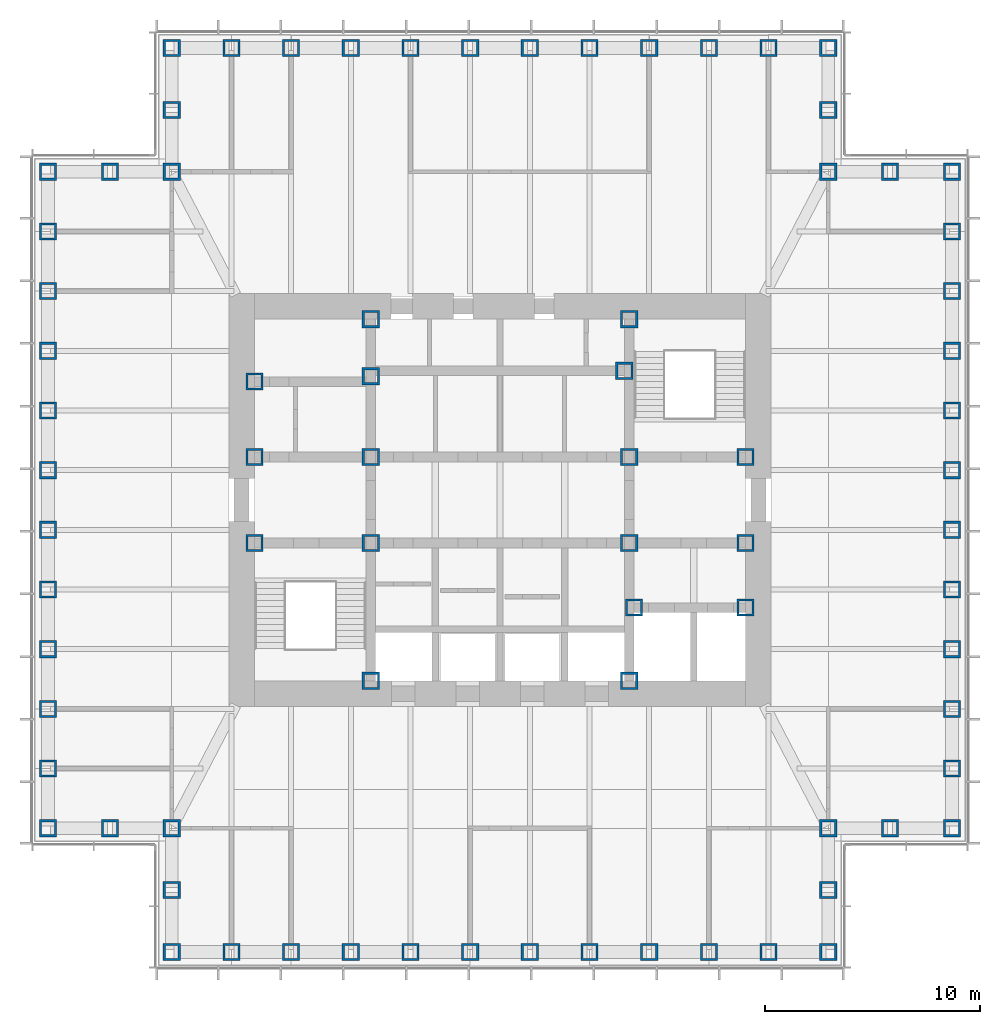
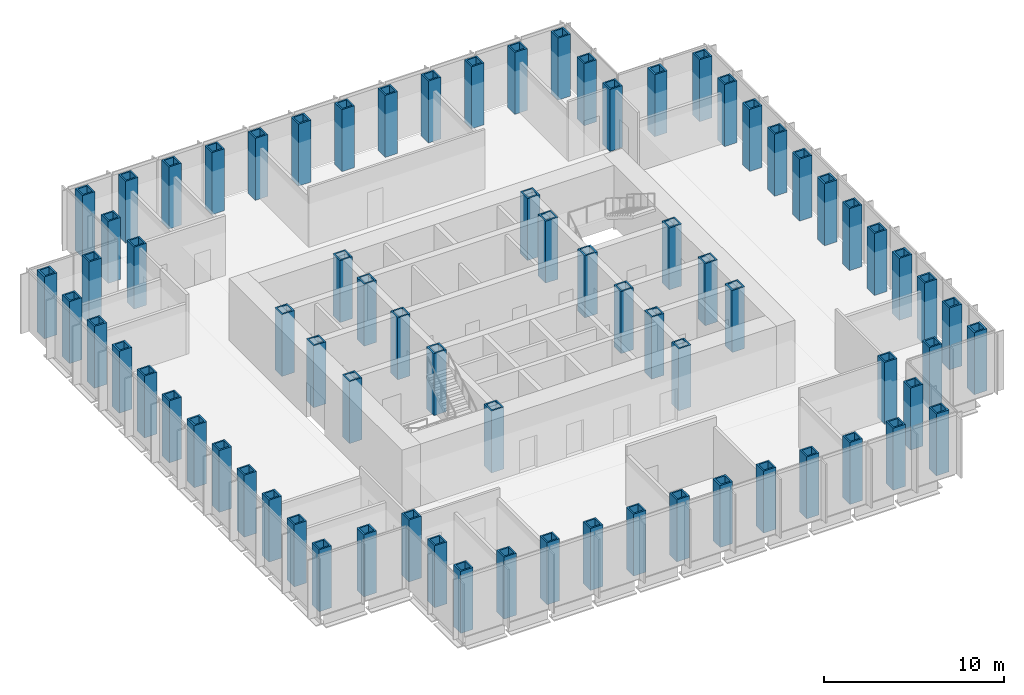
# One storey, part 1 of 16: 77 columns.
"""IFC4 building model written with IfcOpenShell, lengths in metres."""

from ifc_helpers import new_model, si_unit, direction, frame, origin, origin_2d, place, context, subcontext, project, spatial, hollow_rectangle, extrude, material, material_profile, profile_set, type_object, element, save


model = new_model("IFC4")

# Units and contexts
model_context = context("Model", 3, precision=1e-05, world=origin(), true_north=direction((0.0, 1.0)))
body_context = subcontext(model_context, "Body", "Model", "MODEL_VIEW")
ifc_project = project(units=[si_unit("LENGTHUNIT", "METRE"), si_unit("AREAUNIT", "SQUARE_METRE"), si_unit("VOLUMEUNIT", "CUBIC_METRE"), si_unit("PLANEANGLEUNIT", "RADIAN"), si_unit("MASSUNIT", "GRAM", prefix="KILO")], contexts=[model_context])

# Site, building, storey
site_placement = place(None, origin())
site = spatial("IfcSite", under=ifc_project, at=site_placement, CompositionType="ELEMENT")
building_placement = place(site_placement, origin())
building = spatial("IfcBuilding", under=site, at=building_placement, Name="Daluyong Arena Tower", CompositionType="ELEMENT")
storey_placement = place(building_placement, frame((0.0, 0.0, 262.89990234375)))
storey = spatial("IfcBuildingStorey", under=building, at=storey_placement, Name="L59", CompositionType="ELEMENT", Elevation=262.89990234375)

# Columns
ifc_material_1 = material(Name="Steel ASTM A572 Grade 50", Category="steel")
ifc_material_profile_1 = material_profile(ifc_material_1, hollow_rectangle(XDim=0.800048828125, YDim=0.800048828125, WallThickness=0.1, at=origin_2d()))
ifc_profile_set_1 = profile_set([ifc_material_profile_1], Name="Steel ASTM A572 Grade 50")
column_type_1 = type_object("IfcColumnType", Name="Core boundary column BX800X100", PredefinedType="COLUMN", material=ifc_profile_set_1)
for number, where, z_axis, x_axis, name in (
    (1, (44.60009765625, 78.0, 0.0), (0.0, 0.0, 1.0), (1.0, 0.0, 0.0), "core boundary column BC2"),
    (2, (44.60009765625, 82.0, 0.0), (0.0, 0.0, 1.0), (1.0, 0.0, 0.0), "core boundary column BC2"),
    (3, (44.60009765625, 85.5, 0.0), (0.0, 0.0, 1.0), (1.0, 0.0, 0.0), "core boundary column BC2"),
    (4, (50.0, 71.60009765625, 0.0), (0.0, 0.0, 1.0), (1.0, 0.0, 0.0), "core boundary column BC2"),
    (5, (50.0, 78.0, 0.0), (0.0, 0.0, 1.0), (1.0, 0.0, 0.0), "core boundary column BC2"),
    (6, (50.0, 82.0, 0.0), (0.0, 0.0, 1.0), (1.0, 0.0, 0.0), "core boundary column BC2"),
    (7, (50.0, 85.75, 0.0), (0.0, 0.0, 1.0), (1.0, 0.0, 0.0), "core boundary column BC2"),
    (8, (50.0, 88.39990234375, 0.0), (0.0, 0.0, 1.0), (1.0, 0.0, 0.0), "core boundary column BC2"),
    (9, (61.77490234375, 86.0, 0.0), (0.0, 0.0, 1.0), (1.0, 0.0, 0.0), "core boundary column BC2"),
    (10, (62.0, 71.60009765625, 0.0), (0.0, 0.0, 1.0), (1.0, 0.0, 0.0), "core boundary column BC2"),
    (11, (62.0, 78.0, 0.0), (0.0, 0.0, 1.0), (1.0, 0.0, 0.0), "core boundary column BC2"),
    (12, (62.0, 82.0, 0.0), (0.0, 0.0, 1.0), (1.0, 0.0, 0.0), "core boundary column BC2"),
    (13, (62.0, 88.39990234375, 0.0), (0.0, 0.0, 1.0), (1.0, 0.0, 0.0), "core boundary column BC2"),
    (14, (62.22509765625, 75.0, 0.0), (0.0, 0.0, 1.0), (1.0, 0.0, 0.0), "core boundary column BC2"),
    (15, (67.39990234375, 75.0, 0.0), (0.0, 0.0, 1.0), (1.0, 0.0, 0.0), "core boundary column BC2"),
    (16, (67.39990234375, 78.0, 0.0), (0.0, 0.0, 1.0), (1.0, 0.0, 0.0), "core boundary column BC2"),
    (17, (67.39990234375, 82.0, 0.0), (0.0, 0.0, 1.0), (1.0, 0.0, 0.0), "core boundary column BC2"),
):
    element("IfcColumn", number, at=place(storey_placement, frame(where, z_axis=z_axis, x_axis=x_axis)), inside=storey, type_object=column_type_1, Name=name, PredefinedType="COLUMN", context=body_context, shape_type="SweptSolid", body=[
        extrude(hollow_rectangle(XDim=0.800048828125, YDim=0.800048828125, WallThickness=0.1, at=origin_2d()), origin(), (0.0, 0.0, 1.0), 4.2001953125),
    ])
ifc_material_2 = material(Name="Steel ASTM A572 Grade 50", Category="steel")
ifc_material_profile_2 = material_profile(ifc_material_2, hollow_rectangle(XDim=0.800048828125, YDim=0.800048828125, WallThickness=0.1, at=origin_2d()))
ifc_profile_set_2 = profile_set([ifc_material_profile_2], Name="Steel ASTM A572 Grade 50")
column_type_2 = type_object("IfcColumnType", Name="Tube column BX800X100 BX800X100", PredefinedType="COLUMN", material=ifc_profile_set_2)
for number, where, z_axis, x_axis, name in (
    (18, (40.75, 59.0, 0.0), (0.0, 0.0, 1.0), (1.0, 0.0, 0.0), "tube column bx800x100 TC8"),
    (19, (43.522705078125, 59.0, 0.0), (0.0, 0.0, 1.0), (1.0, 0.0, 0.0), "tube column bx800x100 TC8"),
    (20, (46.29541015625, 59.0, 0.0), (0.0, 0.0, 1.0), (1.0, 0.0, 0.0), "tube column bx800x100 TC8"),
    (21, (49.068115234375, 59.0, 0.0), (0.0, 0.0, 1.0), (1.0, 0.0, 0.0), "tube column bx800x100 TC8"),
    (22, (51.8408203125, 59.0, 0.0), (0.0, 0.0, 1.0), (1.0, 0.0, 0.0), "tube column bx800x100 TC8"),
    (23, (54.613525390625, 59.0, 0.0), (0.0, 0.0, 1.0), (1.0, 0.0, 0.0), "tube column bx800x100 TC8"),
    (24, (57.386474609375, 59.0, 0.0), (0.0, 0.0, 1.0), (1.0, 0.0, 0.0), "tube column bx800x100 TC8"),
    (25, (60.1591796875, 59.0, 0.0), (0.0, 0.0, 1.0), (1.0, 0.0, 0.0), "tube column bx800x100 TC8"),
    (26, (62.931884765625, 59.0, 0.0), (0.0, 0.0, 1.0), (1.0, 0.0, 0.0), "tube column bx800x100 TC8"),
    (27, (65.70458984375, 59.0, 0.0), (0.0, 0.0, 1.0), (1.0, 0.0, 0.0), "tube column bx800x100 TC8"),
    (28, (68.477294921875, 59.0, 0.0), (0.0, 0.0, 1.0), (1.0, 0.0, 0.0), "tube column bx800x100 TC8"),
    (29, (71.25, 59.0, 0.0), (0.0, 0.0, 1.0), (0.0, 1.0, 0.0), "tube column bx800x100 TC8"),
    (30, (71.25, 61.875, 0.0), (0.0, 0.0, 1.0), (0.0, 1.0, 0.0), "tube column bx800x100 TC8"),
    (31, (71.25, 64.75, 0.0), (0.0, 0.0, 1.0), (1.0, 0.0, 0.0), "tube column bx800x100 TC8"),
    (32, (74.125, 64.75, 0.0), (0.0, 0.0, 1.0), (1.0, 0.0, 0.0), "tube column bx800x100 TC8"),
    (33, (77.0, 64.75, 0.0), (0.0, 0.0, 1.0), (0.0, 1.0, 0.0), "tube column bx800x100 TC8"),
    (34, (77.0, 67.522705078125, 0.0), (0.0, 0.0, 1.0), (0.0, 1.0, 0.0), "tube column bx800x100 TC8"),
    (35, (77.0, 70.29541015625, 0.0), (0.0, 0.0, 1.0), (0.0, 1.0, 0.0), "tube column bx800x100 TC8"),
    (36, (77.0, 73.068115234375, 0.0), (0.0, 0.0, 1.0), (0.0, 1.0, 0.0), "tube column bx800x100 TC8"),
    (37, (77.0, 75.8408203125, 0.0), (0.0, 0.0, 1.0), (0.0, 1.0, 0.0), "tube column bx800x100 TC8"),
    (38, (77.0, 78.613525390625, 0.0), (0.0, 0.0, 1.0), (0.0, 1.0, 0.0), "tube column bx800x100 TC8"),
    (39, (77.0, 81.386474609375, 0.0), (0.0, 0.0, 1.0), (0.0, 1.0, 0.0), "tube column bx800x100 TC8"),
    (40, (77.0, 84.1591796875, 0.0), (0.0, 0.0, 1.0), (0.0, 1.0, 0.0), "tube column bx800x100 TC8"),
    (41, (77.0, 86.931884765625, 0.0), (0.0, 0.0, 1.0), (0.0, 1.0, 0.0), "tube column bx800x100 TC8"),
    (42, (77.0, 89.70458984375, 0.0), (0.0, 0.0, 1.0), (0.0, 1.0, 0.0), "tube column bx800x100 TC8"),
    (43, (77.0, 92.477294921875, 0.0), (0.0, 0.0, 1.0), (0.0, 1.0, 0.0), "tube column bx800x100 TC8"),
    (44, (77.0, 95.25, 0.0), (0.0, 0.0, 1.0), (1.0, 0.0, 0.0), "tube column bx800x100 TC8"),
    (45, (74.125, 95.25, 0.0), (0.0, 0.0, 1.0), (1.0, 0.0, 0.0), "tube column bx800x100 TC8"),
    (46, (71.25, 95.25, 0.0), (0.0, 0.0, 1.0), (0.0, 1.0, 0.0), "tube column bx800x100 TC8"),
    (47, (71.25, 98.125, 0.0), (0.0, 0.0, 1.0), (0.0, 1.0, 0.0), "tube column bx800x100 TC8"),
    (48, (71.25, 101.0, 0.0), (0.0, 0.0, 1.0), (1.0, 0.0, 0.0), "tube column bx800x100 TC8"),
    (49, (68.477294921875, 101.0, 0.0), (0.0, 0.0, 1.0), (1.0, 0.0, 0.0), "tube column bx800x100 TC8"),
    (50, (65.70458984375, 101.0, 0.0), (0.0, 0.0, 1.0), (1.0, 0.0, 0.0), "tube column bx800x100 TC8"),
    (51, (62.931884765625, 101.0, 0.0), (0.0, 0.0, 1.0), (1.0, 0.0, 0.0), "tube column bx800x100 TC8"),
    (52, (60.1591796875, 101.0, 0.0), (0.0, 0.0, 1.0), (1.0, 0.0, 0.0), "tube column bx800x100 TC8"),
    (53, (57.386474609375, 101.0, 0.0), (0.0, 0.0, 1.0), (1.0, 0.0, 0.0), "tube column bx800x100 TC8"),
    (54, (54.613525390625, 101.0, 0.0), (0.0, 0.0, 1.0), (1.0, 0.0, 0.0), "tube column bx800x100 TC8"),
    (55, (51.8408203125, 101.0, 0.0), (0.0, 0.0, 1.0), (1.0, 0.0, 0.0), "tube column bx800x100 TC8"),
    (56, (49.068115234375, 101.0, 0.0), (0.0, 0.0, 1.0), (1.0, 0.0, 0.0), "tube column bx800x100 TC8"),
    (57, (46.29541015625, 101.0, 0.0), (0.0, 0.0, 1.0), (1.0, 0.0, 0.0), "tube column bx800x100 TC8"),
    (58, (43.522705078125, 101.0, 0.0), (0.0, 0.0, 1.0), (1.0, 0.0, 0.0), "tube column bx800x100 TC8"),
    (59, (40.75, 101.0, 0.0), (0.0, 0.0, 1.0), (0.0, 1.0, 0.0), "tube column bx800x100 TC8"),
    (60, (40.75, 98.125, 0.0), (0.0, 0.0, 1.0), (0.0, 1.0, 0.0), "tube column bx800x100 TC8"),
    (61, (40.75, 95.25, 0.0), (0.0, 0.0, 1.0), (1.0, 0.0, 0.0), "tube column bx800x100 TC8"),
    (62, (37.875, 95.25, 0.0), (0.0, 0.0, 1.0), (1.0, 0.0, 0.0), "tube column bx800x100 TC8"),
    (63, (35.0, 95.25, 0.0), (0.0, 0.0, 1.0), (0.0, 1.0, 0.0), "tube column bx800x100 TC8"),
    (64, (35.0, 92.477294921875, 0.0), (0.0, 0.0, 1.0), (0.0, 1.0, 0.0), "tube column bx800x100 TC8"),
    (65, (35.0, 89.70458984375, 0.0), (0.0, 0.0, 1.0), (0.0, 1.0, 0.0), "tube column bx800x100 TC8"),
    (66, (35.0, 86.931884765625, 0.0), (0.0, 0.0, 1.0), (0.0, 1.0, 0.0), "tube column bx800x100 TC8"),
    (67, (35.0, 84.1591796875, 0.0), (0.0, 0.0, 1.0), (0.0, 1.0, 0.0), "tube column bx800x100 TC8"),
    (68, (35.0, 81.386474609375, 0.0), (0.0, 0.0, 1.0), (0.0, 1.0, 0.0), "tube column bx800x100 TC8"),
    (69, (35.0, 78.613525390625, 0.0), (0.0, 0.0, 1.0), (0.0, 1.0, 0.0), "tube column bx800x100 TC8"),
    (70, (35.0, 75.8408203125, 0.0), (0.0, 0.0, 1.0), (0.0, 1.0, 0.0), "tube column bx800x100 TC8"),
    (71, (35.0, 73.068115234375, 0.0), (0.0, 0.0, 1.0), (0.0, 1.0, 0.0), "tube column bx800x100 TC8"),
    (72, (35.0, 70.29541015625, 0.0), (0.0, 0.0, 1.0), (0.0, 1.0, 0.0), "tube column bx800x100 TC8"),
    (73, (35.0, 67.522705078125, 0.0), (0.0, 0.0, 1.0), (0.0, 1.0, 0.0), "tube column bx800x100 TC8"),
    (74, (35.0, 64.75, 0.0), (0.0, 0.0, 1.0), (1.0, 0.0, 0.0), "tube column bx800x100 TC8"),
    (75, (37.875, 64.75, 0.0), (0.0, 0.0, 1.0), (1.0, 0.0, 0.0), "tube column bx800x100 TC8"),
    (76, (40.75, 64.75, 0.0), (0.0, 0.0, 1.0), (0.0, 1.0, 0.0), "tube column bx800x100 TC8"),
    (77, (40.75, 61.875, 0.0), (0.0, 0.0, 1.0), (0.0, 1.0, 0.0), "tube column bx800x100 TC8"),
):
    element("IfcColumn", number, at=place(storey_placement, frame(where, z_axis=z_axis, x_axis=x_axis)), inside=storey, type_object=column_type_2, Name=name, PredefinedType="COLUMN", context=body_context, shape_type="SweptSolid", body=[
        extrude(hollow_rectangle(XDim=0.800048828125, YDim=0.800048828125, WallThickness=0.1, at=origin_2d()), origin(), (0.0, 0.0, 1.0), 4.2001953125),
    ])

save(model, "model.ifc")
